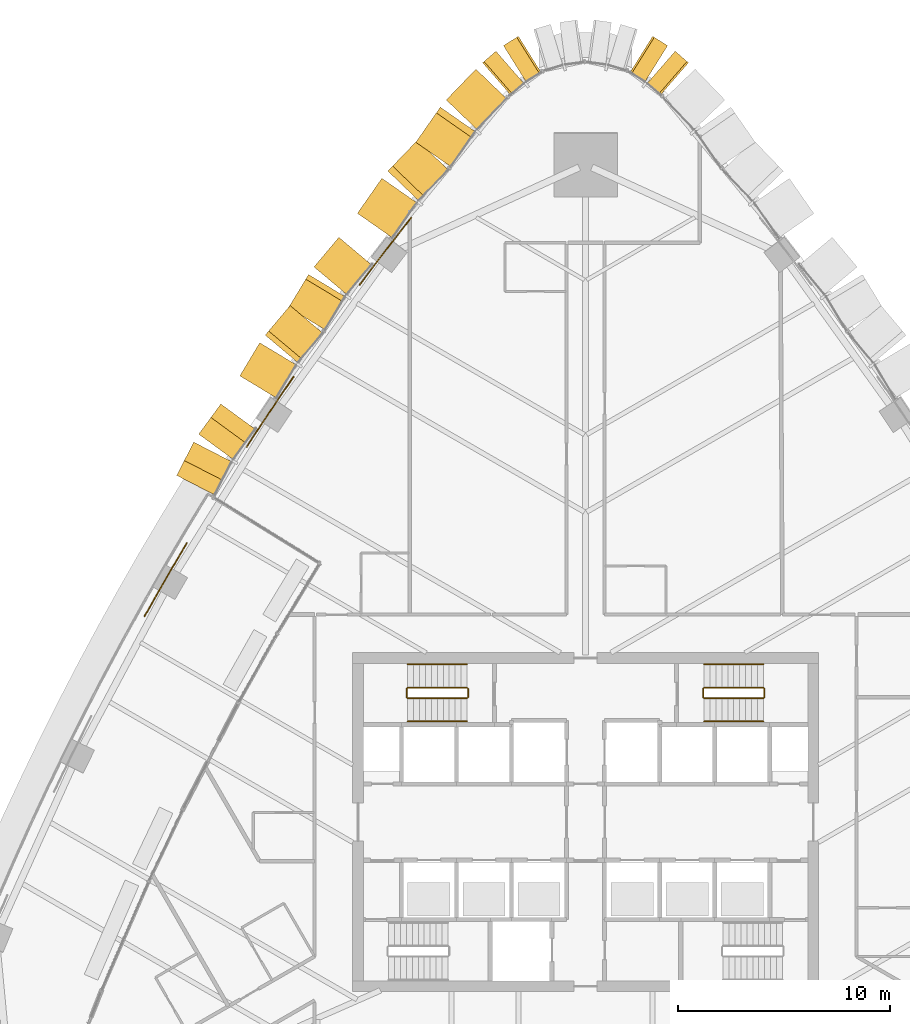
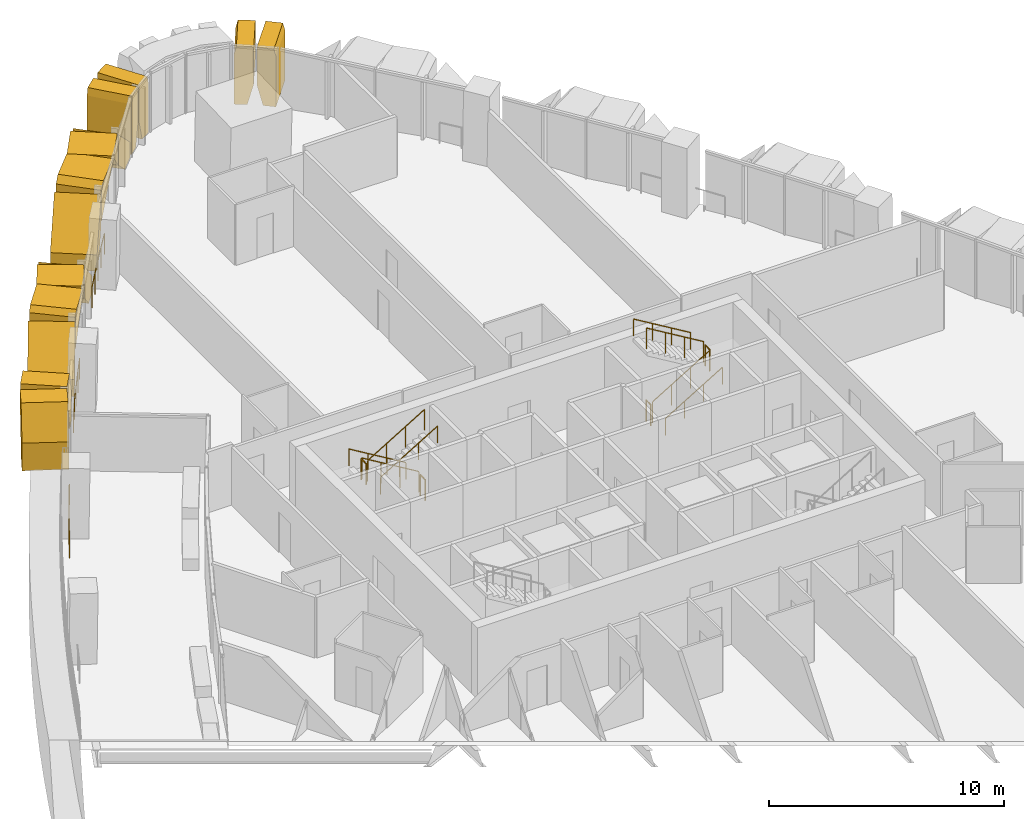
# One storey, part 22 of 24: 15 railings, 14 coverings.
"""IFC4 building model written with IfcOpenShell, lengths in metres."""

from ifc_helpers import new_model, si_unit, direction, frame, origin, origin_2d, place, context, subcontext, project, spatial, polyline, circle, outline, extrude, material, layer, layer_set, type_object, element, save


model = new_model("IFC4")

# Units and contexts
model_context = context("Model", 3, precision=1e-05, world=origin(), true_north=direction((0.0, 1.0)))
body_context = subcontext(model_context, "Body", "Model", "MODEL_VIEW")
ifc_project = project(units=[si_unit("LENGTHUNIT", "METRE"), si_unit("AREAUNIT", "SQUARE_METRE"), si_unit("VOLUMEUNIT", "CUBIC_METRE"), si_unit("PLANEANGLEUNIT", "RADIAN"), si_unit("MASSUNIT", "GRAM", prefix="KILO")], contexts=[model_context])

# Site, building, storey
site_placement = place(None, origin())
site = spatial("IfcSite", under=ifc_project, at=site_placement, CompositionType="ELEMENT")
building_placement = place(site_placement, origin())
building = spatial("IfcBuilding", under=site, at=building_placement, Name="Sierra Prisma Convention Tower", CompositionType="ELEMENT")
storey_placement = place(building_placement, frame((0.0, 0.0, 59.10009765625)))
storey = spatial("IfcBuildingStorey", under=building, at=storey_placement, Name="L10", CompositionType="ELEMENT", Elevation=59.10009765625)

# Coverings
ifc_material_1 = material(Name="Aluminium 6063-T6 bronze anodised", Category="aluminium")
ifc_layer = layer(ifc_material_1, 2.0)
ifc_layer_set = layer_set([ifc_layer], Name="Bronze crystal chevron frame")
covering_type = type_object("IfcCoveringType", Name="Bronze crystal chevron frame", PredefinedType="CLADDING", material=ifc_layer_set)
covering_1_placement = place(storey_placement, frame((4.862548828125, 35.867431640625, 0.0), z_axis=(0.655984389764, 0.754774456532, 1.2374033e-05), x_axis=(-0.754774456589, 0.655984389814, 1.771e-09)))
element("IfcCovering", 1, at=covering_1_placement, inside=storey, type_object=covering_type, Name="CW-2 chevron frame N1.1.1", PredefinedType="CLADDING", context=body_context, shape_type="SweptSolid", body=[
    extrude(outline(polyline([(0.0, 0.0), (0.5598425553313269, 4.235164736271502e-22), (0.8329192621524919, 1.0551757796172925), (0.8329192655613226, 2.9799804669699324), (0.09173049980043191, 2.9799804702476824), (4.649741923621912e-09, 2.6254882810489972), (0.0, 0.0)])), origin(), (0.0, 0.0, -1.0), 2.0),
])
covering_2_placement = place(storey_placement, frame((3.87744140625, 36.677490234375, 2.97998046875), z_axis=(0.529839972568, 0.84809763791, -6.365523e-06), x_axis=(-3.372708e-06, -5.398585e-06, -0.99999999998)))
element("IfcCovering", 2, at=covering_2_placement, inside=storey, type_object=covering_type, Name="CW-2 chevron frame N1.1.2", PredefinedType="CLADDING", context=body_context, shape_type="SweptSolid", body=[
    extrude(outline(polyline([(0.0, 0.0), (1.9248046874610036, 0.0), (2.979980468528366, 0.27320306692679236), (2.9799804686839555, 0.8330920982870575), (0.3544921874871476, 0.8330920982870575), (-3.903390144239431e-10, 0.7412997884623609), (0.0, 0.0)])), origin(), (0.0, 0.0, -1.0), 2.0),
])
covering_3_placement = place(storey_placement, frame((-3.1708984375, 37.118896484375, 0.0), z_axis=(-0.529839972568, 0.84809763791, -6.365523e-06), x_axis=(-0.848097637927, -0.529839972579, 2.78e-10)))
element("IfcCovering", 3, at=covering_3_placement, inside=storey, type_object=covering_type, Name="CW-2 chevron frame N4.1.1", PredefinedType="CLADDING", context=body_context, shape_type="SweptSolid", body=[
    extrude(outline(polyline([(0.0, 0.0), (0.5598890313602652, 0.0), (0.8330920985802839, 1.055175780991441), (0.8330920991151745, 2.9799804684524447), (0.09179231065281362, 2.9799804690487863), (7.29605821609332e-10, 2.625488281196808), (0.0, 0.0)])), origin(), (0.0, 0.0, -1.0), 2.0),
])
covering_4_placement = place(storey_placement, frame((-4.23388671875, 36.413818359375, 2.97998046875), z_axis=(-0.655984389764, 0.754774456532, 1.2374033e-05), x_axis=(-8.117172e-06, 9.339604e-06, -0.999999999923)))
element("IfcCovering", 4, at=covering_4_placement, inside=storey, type_object=covering_type, Name="CW-2 chevron frame N4.1.2", PredefinedType="CLADDING", context=body_context, shape_type="SweptSolid", body=[
    extrude(outline(polyline([(0.0, 0.0), (1.92480468735264, 0.0), (2.9799804674535517, 0.27307670495244785), (2.9799804684450333, 0.8329192602837748), (0.3544921873960363, 0.8329192602837748), (-1.9651041240858648e-09, 0.7411887657608908), (0.0, 0.0)])), origin(), (0.0, 0.0, -1.0), 2.0),
])
covering_5_placement = place(storey_placement, frame((-5.178955078125, 35.566650390625, 0.0), z_axis=(-0.720314367899, 0.693647755176, 5.6020689e-05), x_axis=(-0.693647756265, -0.720314369029, -8.877e-09)))
element("IfcCovering", 5, at=covering_5_placement, inside=storey, type_object=covering_type, Name="CW-2 chevron frame NW1.1.1", PredefinedType="CLADDING", context=body_context, shape_type="SweptSolid", body=[
    extrude(outline(polyline([(0.0, 0.0), (0.8586564506921621, 0.0), (2.02034473591943, 1.0014648632555232), (2.020344721852318, 2.5861816576438508), (-7.491912765465195e-09, 0.8439941393006392), (0.0, 0.0)])), origin(), (0.0, 0.0, -1.0), 2.0),
])
covering_6_placement = place(storey_placement, frame((-6.86181640625, 33.768798828125, 2.6982421875), z_axis=(-0.820040517511, 0.57230546737, -4.0718684e-05), x_axis=(3.339097e-05, -2.3303525e-05, -0.999999999171)))
element("IfcCovering", 6, at=covering_6_placement, inside=storey, type_object=covering_type, Name="CW-2 chevron frame NW1.1.2", PredefinedType="CLADDING", context=body_context, shape_type="SweptSolid", body=[
    extrude(outline(polyline([(0.0, 0.0), (1.5844726549364634, -5.3684021754691496e-21), (-0.15771484408637876, 2.020320715858648), (-0.2817382814835626, 2.020320715858648), (-0.28173828431626824, 0.32665293867788847), (0.0, 0.0)])), origin(), (0.0, 0.0, -1.0), 2.0),
])
covering_7_placement = place(storey_placement, frame((-7.939208984375, 32.2080078125, 2.97998046875), z_axis=(-0.720331352951, 0.69363011858, -2.3544992e-05), x_axis=(1.6960196e-05, -1.6331515e-05, -0.999999999723)))
element("IfcCovering", 7, at=covering_7_placement, inside=storey, type_object=covering_type, Name="CW-2 chevron frame NW1.2.1", PredefinedType="CLADDING", context=body_context, shape_type="SweptSolid", body=[
    extrude(outline(polyline([(0.0, 0.0), (0.12402343746562278, 0.0), (1.866210937138904, 2.0203447455772343), (0.28173828132809314, 2.0203447455772343), (-9.471332379544723e-10, 1.6936630623111277), (0.0, 0.0)])), origin(), (0.0, 0.0, -1.0), 2.0),
])
covering_8_placement = place(storey_placement, frame((-10.778564453125, 28.75341796875, 0.0), z_axis=(-0.819964437956, 0.572414462833, -5.6802094e-05), x_axis=(-4.6575697e-05, 3.251434e-05, 0.999999998387)))
element("IfcCovering", 8, at=covering_8_placement, inside=storey, type_object=covering_type, Name="CW-2 chevron frame NW1.2.2", PredefinedType="CLADDING", context=body_context, shape_type="SweptSolid", body=[
    extrude(outline(polyline([(0.0, 0.0), (0.8439941392634358, 0.0), (2.5861816396840753, 2.0204604491608404), (1.001464845365602, 2.0204604491608404), (-7.836182156710747e-09, 0.8587939875211521), (0.0, 0.0)])), origin(), (0.0, 0.0, -1.0), 2.0),
])
covering_9_placement = place(storey_placement, frame((-11.65283203125, 27.621826171875, 0.0), z_axis=(-0.76526807547, 0.643711714786, 3.0239828e-05), x_axis=(-0.64371171508, -0.765268075819, -2.856e-09)))
element("IfcCovering", 9, at=covering_9_placement, inside=storey, type_object=covering_type, Name="CW-2 chevron frame NW2.1.1", PredefinedType="CLADDING", context=body_context, shape_type="SweptSolid", body=[
    extrude(outline(polyline([(0.0, 0.0), (0.8123054235200882, 0.0), (1.8273580493902488, 0.9616699275328718), (1.8273580446690545, 2.614990239276935), (-2.5223391947141616e-09, 0.8833007808461341), (0.0, 0.0)])), origin(), (0.0, 0.0, -1.0), 2.0),
])
covering_10_placement = place(storey_placement, frame((-13.0869140625, 25.86279296875, 2.738037109375), z_axis=(-0.856582760333, 0.516009665085, 1.5481787e-05), x_axis=(-1.3261432e-05, 7.988752e-06, -0.99999999988)))
element("IfcCovering", 10, at=covering_10_placement, inside=storey, type_object=covering_type, Name="CW-2 chevron frame NW2.1.2", PredefinedType="CLADDING", context=body_context, shape_type="SweptSolid", body=[
    extrude(outline(polyline([(0.0, 0.0), (1.6530761716768907, -1.4002099818991376e-21), (-0.0783691406735984, 1.8272415536982742), (-0.2419433594039952, 1.8272415536982742), (-0.2419433598394204, 0.25507099123627586), (0.0, 0.0)])), origin(), (0.0, 0.0, -1.0), 2.0),
])
covering_11_placement = place(storey_placement, frame((-13.95751953125, 24.398681640625, 2.97998046875), z_axis=(-0.765281830944, 0.643695356975, -8.1462901e-05), x_axis=(6.2342079e-05, -5.2437292e-05, -0.999999996682)))
element("IfcCovering", 11, at=covering_11_placement, inside=storey, type_object=covering_type, Name="CW-2 chevron frame NW2.2.1", PredefinedType="CLADDING", context=body_context, shape_type="SweptSolid", body=[
    extrude(outline(polyline([(0.0, 0.0), (0.16357421820724405, -1.108422020821057e-21), (1.8950195265677174, 1.8270140637681394), (0.2419433601777928, 1.8270140637681394), (-1.2055663202304562e-08, 1.5719386858118605), (0.0, 0.0)])), origin(), (0.0, 0.0, -1.0), 2.0),
])
covering_12_placement = place(storey_placement, frame((-16.33447265625, 21.07470703125, 0.0), z_axis=(-0.85655041851, 0.516063349295, 8.034351e-06), x_axis=(6.881827e-06, -4.146234e-06, 0.999999999968)))
element("IfcCovering", 12, at=covering_12_placement, inside=storey, type_object=covering_type, Name="CW-2 chevron frame NW2.2.2", PredefinedType="CLADDING", context=body_context, shape_type="SweptSolid", body=[
    extrude(outline(polyline([(0.0, 0.0), (0.8833007812214911, -7.481848640542135e-22), (2.6149902343526765, 1.8270324311202994), (0.9616699219060383, 1.8270324311202994), (-1.6374091223689223e-10, 0.8123167635744066), (0.0, 0.0)])), origin(), (0.0, 0.0, -1.0), 2.0),
])
covering_13_placement = place(storey_placement, frame((-17.22998046875, 19.748291015625, 0.0), z_axis=(-0.806808225494, 0.590813410933, -2.7160344e-05), x_axis=(-0.590813411151, -0.806808225791, 1.691e-09)))
element("IfcCovering", 13, at=covering_13_placement, inside=storey, type_object=covering_type, Name="CW-2 chevron frame NW3.1.1", PredefinedType="CLADDING", context=body_context, shape_type="SweptSolid", body=[
    extrude(outline(polyline([(0.0, 0.0), (0.6140045456788203, 0.0), (1.7669119609611448, 2.254882809690856), (1.7669119621875278, 2.979980465673409), (0.7898937334179235, 2.979980470255815), (2.427577592607169e-09, 1.4353027338455997), (0.0, 0.0)])), origin(), (0.0, 0.0, -1.0), 2.0),
])
covering_14_placement = place(storey_placement, frame((-18.507080078125, 17.945556640625, 2.97998046875), z_axis=(-0.889240844782, 0.457439305597, -4.0817156e-05), x_axis=(3.6296282e-05, -1.8671371e-05, -0.999999999167)))
element("IfcCovering", 14, at=covering_14_placement, inside=storey, type_object=covering_type, Name="CW-2 chevron frame NW3.1.2", PredefinedType="CLADDING", context=body_context, shape_type="SweptSolid", body=[
    extrude(outline(polyline([(0.0, 0.0), (0.7250976556459791, 0.0), (2.9799804665408547, 1.1528298855623378), (2.979980468606783, 1.766696519464684), (1.544677735427419, 1.766696519464684), (-6.287371480947297e-09, 0.9769263421914952), (0.0, 0.0)])), origin(), (0.0, 0.0, -1.0), 2.0),
])

# Railings
ifc_material_2 = material(Name="Stainless steel", Category="steel")
railing_type_1 = type_object("IfcRailingType", Name="Exit stair handrail", PredefinedType="HANDRAIL", material=ifc_material_2)
railing_1_placement = place(storey_placement, frame((-5.60009765625, 7.449951171875, 0.16796875)))
element("IfcRailing", 15, at=railing_1_placement, inside=storey, type_object=railing_type_1, Name="L10 S3 stair handrail 1", PredefinedType="HANDRAIL", context=body_context, shape_type="SweptSolid", body=[
    extrude(circle(Radius=0.02392578125, at=origin_2d()), frame((0.0, 0.0, 0.8759765625), z_axis=(-0.857222391501, 0.0, 0.514946377315), x_axis=(0.0, -1.0, 0.0)), (0.0, 0.0, 1.0), 3.26611328125),
    extrude(circle(Radius=0.02099609375, at=origin_2d()), origin(), (0.0, 0.0, 1.0), 0.851806640625),
    extrude(circle(Radius=0.02099609375, at=origin_2d()), frame((-0.933349609375, 0.0, 0.560546875)), (0.0, 0.0, 1.0), 0.851806640625),
    extrude(circle(Radius=0.02099609375, at=origin_2d()), frame((-1.866455078125, 0.0, 1.121337890625)), (0.0, 0.0, 1.0), 0.851806640625),
    extrude(circle(Radius=0.02099609375, at=origin_2d()), frame((-2.7998046875, 0.0, 1.681884765625)), (0.0, 0.0, 1.0), 0.851806640625),
])
for number, where, name in (
    (16, (-8.39990234375, 4.75, 2.01806640625), "L10 S3 stair handrail 2"),
    (17, (5.60009765625, 4.75, 0.16796875), "L10 S4 stair handrail 1"),
):
    element("IfcRailing", number, at=place(storey_placement, frame(where)), inside=storey, type_object=railing_type_1, Name=name, PredefinedType="HANDRAIL", context=body_context, shape_type="SweptSolid", body=[
        extrude(circle(Radius=0.02392578125, at=origin_2d()), frame((0.0, 0.0, 0.8759765625), z_axis=(0.857222391501, 0.0, 0.514946377315), x_axis=(0.0, 1.0, 0.0)), (0.0, 0.0, 1.0), 3.26611328125),
        extrude(circle(Radius=0.02099609375, at=origin_2d()), origin(), (0.0, 0.0, 1.0), 0.851806640625),
        extrude(circle(Radius=0.02099609375, at=origin_2d()), frame((0.933349609375, 0.0, 0.560546875)), (0.0, 0.0, 1.0), 0.851806640625),
        extrude(circle(Radius=0.02099609375, at=origin_2d()), frame((1.866455078125, 0.0, 1.121337890625)), (0.0, 0.0, 1.0), 0.851806640625),
        extrude(circle(Radius=0.02099609375, at=origin_2d()), frame((2.7998046875, 0.0, 1.681884765625)), (0.0, 0.0, 1.0), 0.851806640625),
    ])
railing_2_placement = place(storey_placement, frame((8.39990234375, 7.449951171875, 2.01806640625)))
element("IfcRailing", 18, at=railing_2_placement, inside=storey, type_object=railing_type_1, Name="L10 S4 stair handrail 2", PredefinedType="HANDRAIL", context=body_context, shape_type="SweptSolid", body=[
    extrude(circle(Radius=0.02392578125, at=origin_2d()), frame((0.0, 0.0, 0.8759765625), z_axis=(-0.857222391501, 0.0, 0.514946377315), x_axis=(0.0, -1.0, 0.0)), (0.0, 0.0, 1.0), 3.26611328125),
    extrude(circle(Radius=0.02099609375, at=origin_2d()), origin(), (0.0, 0.0, 1.0), 0.851806640625),
    extrude(circle(Radius=0.02099609375, at=origin_2d()), frame((-0.933349609375, 0.0, 0.560546875)), (0.0, 0.0, 1.0), 0.851806640625),
    extrude(circle(Radius=0.02099609375, at=origin_2d()), frame((-1.866455078125, 0.0, 1.121337890625)), (0.0, 0.0, 1.0), 0.851806640625),
    extrude(circle(Radius=0.02099609375, at=origin_2d()), frame((-2.7998046875, 0.0, 1.681884765625)), (0.0, 0.0, 1.0), 0.851806640625),
])
ifc_material_3 = material(Name="Bronze anodised aluminium", Category="aluminium")
railing_type_2 = type_object("IfcRailingType", Name="Facade guard 1100", PredefinedType="GUARDRAIL", material=ifc_material_3)
railing_3_placement = place(storey_placement, frame((-8.24169921875, 28.54052734375, 0.0)))
element("IfcRailing", 19, at=railing_3_placement, inside=storey, type_object=railing_type_2, Name="Facade guard", PredefinedType="GUARDRAIL", context=body_context, shape_type="SweptSolid", body=[
    extrude(circle(Radius=0.02392578125, at=origin_2d()), frame((0.0, 0.0, 1.076171875), z_axis=(-0.618146755511, -0.786062712925, 0.0), x_axis=(0.786062712925, -0.618146755511, 0.0)), (0.0, 0.0, 1.0), 0.994384765625),
    extrude(circle(Radius=0.02392578125, at=origin_2d()), frame((-0.61474609375, -0.78173828125, 1.076171875), z_axis=(-0.612350458871, -0.790586437729, 0.0), x_axis=(0.790586437729, -0.612350458871, 0.0)), (0.0, 0.0, 1.0), 1.0),
    extrude(circle(Radius=0.02392578125, at=origin_2d()), frame((-1.22705078125, -1.572265625, 1.076171875), z_axis=(-0.606656987656, -0.794963709441, 0.0), x_axis=(0.794963709441, -0.606656987656, 0.0)), (0.0, 0.0, 1.0), 0.994384765625),
    extrude(circle(Radius=0.02392578125, at=origin_2d()), frame((-1.830322265625, -2.36279296875, 1.076171875), z_axis=(-0.601288219051, -0.799032213137, 0.0), x_axis=(0.799032213137, -0.601288219051, 0.0)), (0.0, 0.0, 1.0), 1.0),
    extrude(circle(Radius=0.02099609375, at=origin_2d()), origin(), (0.0, 0.0, 1.0), 1.052001953125),
    extrude(circle(Radius=0.02099609375, at=origin_2d()), frame((-0.61474609375, -0.78173828125, 0.0)), (0.0, 0.0, 1.0), 1.052001953125),
    extrude(circle(Radius=0.02099609375, at=origin_2d()), frame((-1.22705078125, -1.572265625, 0.0)), (0.0, 0.0, 1.0), 1.052001953125),
    extrude(circle(Radius=0.02099609375, at=origin_2d()), frame((-1.830322265625, -2.36279296875, 0.0)), (0.0, 0.0, 1.0), 1.052001953125),
    extrude(circle(Radius=0.02099609375, at=origin_2d()), frame((-2.431640625, -3.161865234375, 0.0)), (0.0, 0.0, 1.0), 1.052001953125),
])
railing_4_placement = place(storey_placement, frame((-13.79150390625, 21.032958984375, 0.0)))
element("IfcRailing", 20, at=railing_4_placement, inside=storey, type_object=railing_type_2, Name="Facade guard", PredefinedType="GUARDRAIL", context=body_context, shape_type="SweptSolid", body=[
    extrude(circle(Radius=0.02392578125, at=origin_2d()), frame((0.0, 0.0, 1.076171875), z_axis=(-0.567504285925, -0.823370442424, 0.0), x_axis=(0.823370442424, -0.567504285925, 0.0)), (0.0, 0.0, 1.0), 0.998046875),
    extrude(circle(Radius=0.02392578125, at=origin_2d()), frame((-0.56640625, -0.82177734375, 1.076171875), z_axis=(-0.556169381701, -0.831068961554, 0.0), x_axis=(0.831068961554, -0.556169381701, 0.0)), (0.0, 0.0, 1.0), 0.996337890625),
    extrude(circle(Radius=0.02392578125, at=origin_2d()), frame((-1.12060546875, -1.64990234375, 1.076171875), z_axis=(-0.555998978796, -0.831182973585, 0.0), x_axis=(0.831182973585, -0.555998978796, 0.0)), (0.0, 0.0, 1.0), 0.997314453125),
    extrude(circle(Radius=0.02392578125, at=origin_2d()), frame((-1.675048828125, -2.478759765625, 1.076171875), z_axis=(-0.544205075992, -0.838952224662, 0.0), x_axis=(0.838952224662, -0.544205075992, 0.0)), (0.0, 0.0, 1.0), 0.997314453125),
    extrude(circle(Radius=0.02099609375, at=origin_2d()), origin(), (0.0, 0.0, 1.0), 1.052001953125),
    extrude(circle(Radius=0.02099609375, at=origin_2d()), frame((-0.56640625, -0.82177734375, 0.0)), (0.0, 0.0, 1.0), 1.052001953125),
    extrude(circle(Radius=0.02099609375, at=origin_2d()), frame((-1.12060546875, -1.64990234375, 0.0)), (0.0, 0.0, 1.0), 1.052001953125),
    extrude(circle(Radius=0.02099609375, at=origin_2d()), frame((-1.675048828125, -2.478759765625, 0.0)), (0.0, 0.0, 1.0), 1.052001953125),
    extrude(circle(Radius=0.02099609375, at=origin_2d()), frame((-2.2177734375, -3.3154296875, 0.0)), (0.0, 0.0, 1.0), 1.052001953125),
])
railing_5_placement = place(storey_placement, frame((-18.835693359375, 13.1767578125, 0.0)))
element("IfcRailing", 21, at=railing_5_placement, inside=storey, type_object=railing_type_2, Name="Facade guard", PredefinedType="GUARDRAIL", context=body_context, shape_type="SweptSolid", body=[
    extrude(circle(Radius=0.02392578125, at=origin_2d()), frame((0.0, 0.0, 1.076171875), z_axis=(-0.508992475566, -0.860770968271, 0.0), x_axis=(0.860770968271, -0.508992475566, 0.0)), (0.0, 0.0, 1.0), 1.0),
    extrude(circle(Radius=0.02392578125, at=origin_2d()), frame((-0.509033203125, -0.86083984375, 1.076171875), z_axis=(-0.50326034748, -0.864134840551, 0.0), x_axis=(0.864134840551, -0.50326034748, 0.0)), (0.0, 0.0, 1.0), 0.994384765625),
    extrude(circle(Radius=0.02392578125, at=origin_2d()), frame((-1.009521484375, -1.72021484375, 1.076171875), z_axis=(-0.496901332289, -0.867807044204, 0.0), x_axis=(0.867807044204, -0.496901332289, 0.0)), (0.0, 0.0, 1.0), 0.999755859375),
    extrude(circle(Radius=0.02392578125, at=origin_2d()), frame((-1.50634765625, -2.587890625, 1.076171875), z_axis=(-0.490762365416, -0.871293464162, 0.0), x_axis=(0.871293464162, -0.490762365416, 0.0)), (0.0, 0.0, 1.0), 0.994384765625),
    extrude(circle(Radius=0.02099609375, at=origin_2d()), origin(), (0.0, 0.0, 1.0), 1.052001953125),
    extrude(circle(Radius=0.02099609375, at=origin_2d()), frame((-0.509033203125, -0.86083984375, 0.0)), (0.0, 0.0, 1.0), 1.052001953125),
    extrude(circle(Radius=0.02099609375, at=origin_2d()), frame((-1.009521484375, -1.72021484375, 0.0)), (0.0, 0.0, 1.0), 1.052001953125),
    extrude(circle(Radius=0.02099609375, at=origin_2d()), frame((-1.50634765625, -2.587890625, 0.0)), (0.0, 0.0, 1.0), 1.052001953125),
    extrude(circle(Radius=0.02099609375, at=origin_2d()), frame((-1.994384765625, -3.454345703125, 0.0)), (0.0, 0.0, 1.0), 1.052001953125),
])
ifc_material_4 = material(Name="Stainless steel", Category="steel")
railing_type_3 = type_object("IfcRailingType", Name="Stair guard 1100", PredefinedType="GUARDRAIL", material=ifc_material_4)
railing_6_placement = place(storey_placement, frame((-5.60009765625, 6.35009765625, 0.16796875)))
element("IfcRailing", 22, at=railing_6_placement, inside=storey, type_object=railing_type_3, Name="L10 S3 stair guard 1", PredefinedType="GUARDRAIL", context=body_context, shape_type="SweptSolid", body=[
    extrude(circle(Radius=0.02392578125, at=origin_2d()), frame((0.0, 0.0, 1.076171875), z_axis=(-0.857222391501, 0.0, 0.514946377315), x_axis=(0.0, -1.0, 0.0)), (0.0, 0.0, 1.0), 3.26611328125),
    extrude(circle(Radius=0.02099609375, at=origin_2d()), origin(), (0.0, 0.0, 1.0), 1.052001953125),
    extrude(circle(Radius=0.02099609375, at=origin_2d()), frame((-0.933349609375, 0.0, 0.560546875)), (0.0, 0.0, 1.0), 1.052001953125),
    extrude(circle(Radius=0.02099609375, at=origin_2d()), frame((-1.866455078125, 0.0, 1.121337890625)), (0.0, 0.0, 1.0), 1.052001953125),
    extrude(circle(Radius=0.02099609375, at=origin_2d()), frame((-2.7998046875, 0.0, 1.681884765625)), (0.0, 0.0, 1.0), 1.052001953125),
])
railing_7_placement = place(storey_placement, frame((-8.449951171875, 6.300048828125, 1.849853515625)))
element("IfcRailing", 23, at=railing_7_placement, inside=storey, type_object=railing_type_3, Name="L10 S3 stair guard 2", PredefinedType="GUARDRAIL", context=body_context, shape_type="SweptSolid", body=[
    extrude(circle(Radius=0.02392578125, at=origin_2d()), frame((0.0, 0.0, 1.076171875), z_axis=(0.0, -1.0, 0.0), x_axis=(1.0, 0.0, 0.0)), (0.0, 0.0, 1.0), 0.400146484375),
    extrude(circle(Radius=0.02099609375, at=origin_2d()), origin(), (0.0, 0.0, 1.0), 1.052001953125),
    extrude(circle(Radius=0.02099609375, at=origin_2d()), frame((0.0, -0.400146484375, 0.0)), (0.0, 0.0, 1.0), 1.052001953125),
])
railing_8_placement = place(storey_placement, frame((-8.39990234375, 5.85009765625, 2.01806640625)))
element("IfcRailing", 24, at=railing_8_placement, inside=storey, type_object=railing_type_3, Name="L10 S3 stair guard 3", PredefinedType="GUARDRAIL", context=body_context, shape_type="SweptSolid", body=[
    extrude(circle(Radius=0.02392578125, at=origin_2d()), frame((0.0, 0.0, 1.076171875), z_axis=(0.857222391501, 0.0, 0.514946377315), x_axis=(0.0, 1.0, 0.0)), (0.0, 0.0, 1.0), 3.26611328125),
    extrude(circle(Radius=0.02099609375, at=origin_2d()), origin(), (0.0, 0.0, 1.0), 1.052001953125),
    extrude(circle(Radius=0.02099609375, at=origin_2d()), frame((0.933349609375, 0.0, 0.560546875)), (0.0, 0.0, 1.0), 1.052001953125),
    extrude(circle(Radius=0.02099609375, at=origin_2d()), frame((1.866455078125, 0.0, 1.121337890625)), (0.0, 0.0, 1.0), 1.052001953125),
    extrude(circle(Radius=0.02099609375, at=origin_2d()), frame((2.7998046875, 0.0, 1.681884765625)), (0.0, 0.0, 1.0), 1.052001953125),
])
railing_9_placement = place(storey_placement, frame((-5.550048828125, 6.300048828125, 0.0)))
element("IfcRailing", 25, at=railing_9_placement, inside=storey, type_object=railing_type_3, Name="L10 S3 stair guard 4", PredefinedType="GUARDRAIL", context=body_context, shape_type="SweptSolid", body=[
    extrude(circle(Radius=0.02392578125, at=origin_2d()), frame((0.0, 0.0, 1.076171875), z_axis=(0.0, -1.0, 0.0), x_axis=(1.0, 0.0, 0.0)), (0.0, 0.0, 1.0), 0.400146484375),
    extrude(circle(Radius=0.02099609375, at=origin_2d()), origin(), (0.0, 0.0, 1.0), 1.052001953125),
    extrude(circle(Radius=0.02099609375, at=origin_2d()), frame((0.0, -0.400146484375, 0.0)), (0.0, 0.0, 1.0), 1.052001953125),
])
railing_10_placement = place(storey_placement, frame((5.60009765625, 5.85009765625, 0.16796875)))
element("IfcRailing", 26, at=railing_10_placement, inside=storey, type_object=railing_type_3, Name="L10 S4 stair guard 1", PredefinedType="GUARDRAIL", context=body_context, shape_type="SweptSolid", body=[
    extrude(circle(Radius=0.02392578125, at=origin_2d()), frame((0.0, 0.0, 1.076171875), z_axis=(0.857222391501, 0.0, 0.514946377315), x_axis=(0.0, 1.0, 0.0)), (0.0, 0.0, 1.0), 3.26611328125),
    extrude(circle(Radius=0.02099609375, at=origin_2d()), origin(), (0.0, 0.0, 1.0), 1.052001953125),
    extrude(circle(Radius=0.02099609375, at=origin_2d()), frame((0.933349609375, 0.0, 0.560546875)), (0.0, 0.0, 1.0), 1.052001953125),
    extrude(circle(Radius=0.02099609375, at=origin_2d()), frame((1.866455078125, 0.0, 1.121337890625)), (0.0, 0.0, 1.0), 1.052001953125),
    extrude(circle(Radius=0.02099609375, at=origin_2d()), frame((2.7998046875, 0.0, 1.681884765625)), (0.0, 0.0, 1.0), 1.052001953125),
])
railing_11_placement = place(storey_placement, frame((8.449951171875, 5.89990234375, 1.849853515625)))
element("IfcRailing", 27, at=railing_11_placement, inside=storey, type_object=railing_type_3, Name="L10 S4 stair guard 2", PredefinedType="GUARDRAIL", context=body_context, shape_type="SweptSolid", body=[
    extrude(circle(Radius=0.02392578125, at=origin_2d()), frame((0.0, 0.0, 1.076171875), z_axis=(0.0, 1.0, 0.0), x_axis=(-1.0, 0.0, 0.0)), (0.0, 0.0, 1.0), 0.400146484375),
    extrude(circle(Radius=0.02099609375, at=origin_2d()), origin(), (0.0, 0.0, 1.0), 1.052001953125),
    extrude(circle(Radius=0.02099609375, at=origin_2d()), frame((0.0, 0.400146484375, 0.0)), (0.0, 0.0, 1.0), 1.052001953125),
])
railing_12_placement = place(storey_placement, frame((8.39990234375, 6.35009765625, 2.01806640625)))
element("IfcRailing", 28, at=railing_12_placement, inside=storey, type_object=railing_type_3, Name="L10 S4 stair guard 3", PredefinedType="GUARDRAIL", context=body_context, shape_type="SweptSolid", body=[
    extrude(circle(Radius=0.02392578125, at=origin_2d()), frame((0.0, 0.0, 1.076171875), z_axis=(-0.857222391501, 0.0, 0.514946377315), x_axis=(0.0, -1.0, 0.0)), (0.0, 0.0, 1.0), 3.26611328125),
    extrude(circle(Radius=0.02099609375, at=origin_2d()), origin(), (0.0, 0.0, 1.0), 1.052001953125),
    extrude(circle(Radius=0.02099609375, at=origin_2d()), frame((-0.933349609375, 0.0, 0.560546875)), (0.0, 0.0, 1.0), 1.052001953125),
    extrude(circle(Radius=0.02099609375, at=origin_2d()), frame((-1.866455078125, 0.0, 1.121337890625)), (0.0, 0.0, 1.0), 1.052001953125),
    extrude(circle(Radius=0.02099609375, at=origin_2d()), frame((-2.7998046875, 0.0, 1.681884765625)), (0.0, 0.0, 1.0), 1.052001953125),
])
railing_13_placement = place(storey_placement, frame((5.550048828125, 5.89990234375, 0.0)))
element("IfcRailing", 29, at=railing_13_placement, inside=storey, type_object=railing_type_3, Name="L10 S4 stair guard 4", PredefinedType="GUARDRAIL", context=body_context, shape_type="SweptSolid", body=[
    extrude(circle(Radius=0.02392578125, at=origin_2d()), frame((0.0, 0.0, 1.076171875), z_axis=(0.0, 1.0, 0.0), x_axis=(-1.0, 0.0, 0.0)), (0.0, 0.0, 1.0), 0.400146484375),
    extrude(circle(Radius=0.02099609375, at=origin_2d()), origin(), (0.0, 0.0, 1.0), 1.052001953125),
    extrude(circle(Radius=0.02099609375, at=origin_2d()), frame((0.0, 0.400146484375, 0.0)), (0.0, 0.0, 1.0), 1.052001953125),
])

save(model, "model.ifc")
